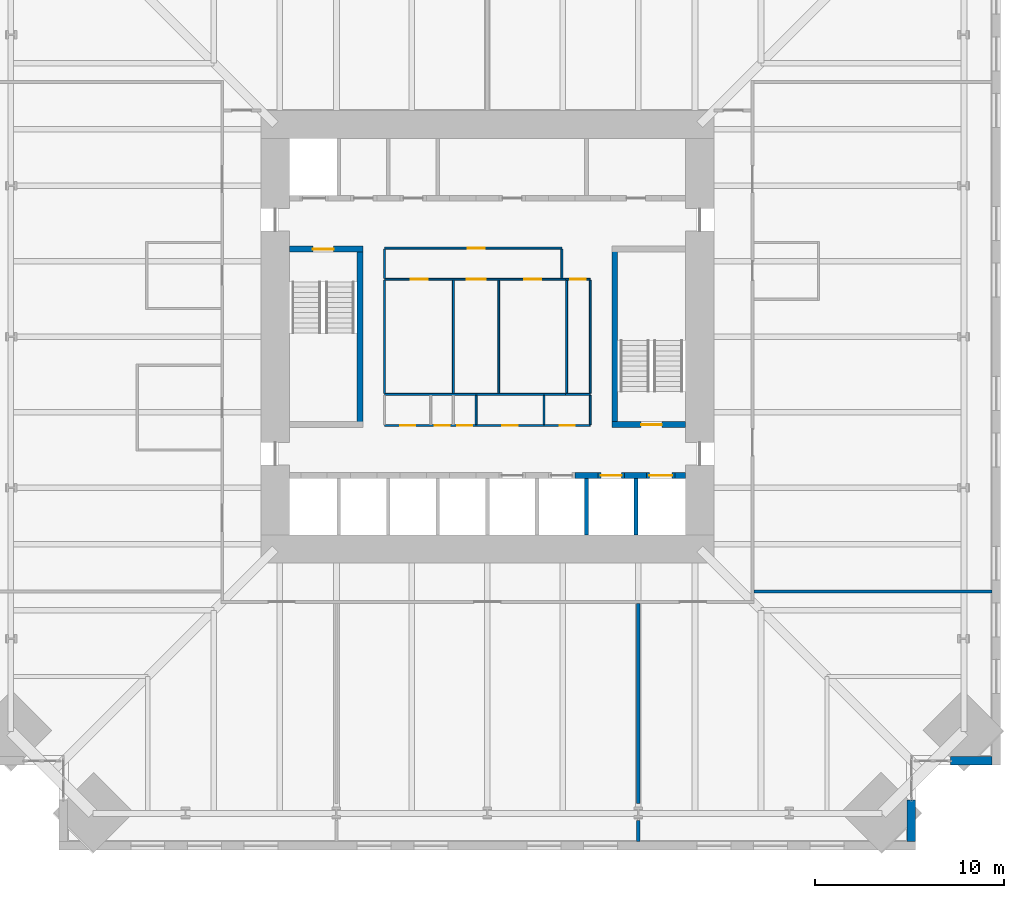
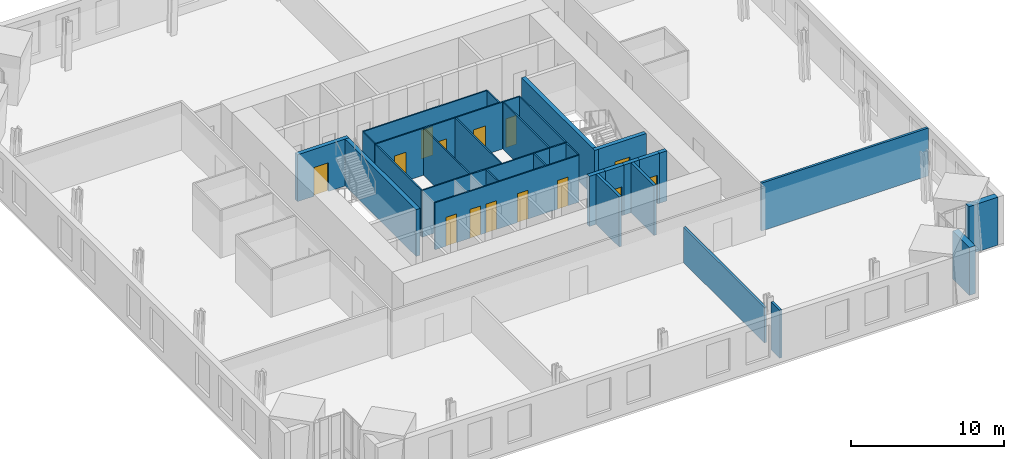
# One storey, part 13 of 16: 32 walls, 14 doors, 14 openings.
"""IFC4 building model written with IfcOpenShell, lengths in metres."""

from ifc_helpers import new_model, si_unit, direction, frame, frame_2d, origin, place, context, subcontext, project, spatial, rectangle, extrude, material, layer, layer_set, type_object, element, fill, save


model = new_model("IFC4")

# Units and contexts
model_context = context("Model", 3, precision=1e-05, world=origin(), true_north=direction((0.0, 1.0)))
body_context = subcontext(model_context, "Body", "Model", "MODEL_VIEW")
ifc_project = project(units=[si_unit("LENGTHUNIT", "METRE"), si_unit("AREAUNIT", "SQUARE_METRE"), si_unit("VOLUMEUNIT", "CUBIC_METRE"), si_unit("PLANEANGLEUNIT", "RADIAN"), si_unit("MASSUNIT", "GRAM", prefix="KILO")], contexts=[model_context])

# Site, building, storey
site_placement = place(None, origin())
site = spatial("IfcSite", under=ifc_project, at=site_placement, CompositionType="ELEMENT")
building_placement = place(site_placement, origin())
building = spatial("IfcBuilding", under=site, at=building_placement, Name="Peilmerk Tower", CompositionType="ELEMENT")
storey_placement = place(building_placement, frame((0.0, 0.0, 139.800048828125)))
storey = spatial("IfcBuildingStorey", under=building, at=storey_placement, Name="L28", CompositionType="ELEMENT", Elevation=139.800048828125)

# Walls
ifc_material_1 = material(Name="Precast concrete C45/55, board-marked finish", Category="concrete")
ifc_layer_1 = layer(ifc_material_1, 0.449951171875)
ifc_layer_set_1 = layer_set([ifc_layer_1], Name="Precast concrete C45/55, board-marked finish")
wall_type_1 = type_object("IfcWallType", Name="EW1 450 precast concrete facade wall, board-marked", PredefinedType="SOLIDWALL", material=ifc_layer_set_1)
for number, where, z_axis, x_axis, name in (
    (1, (22.47509765625, -24.5537109375, 0.0), (0.0, 0.0, 1.0), (0.0, -1.0, 0.0), "Facade wall SEA L28"),
    (2, (24.5537109375, -22.47509765625, 0.0), (0.0, 0.0, 1.0), (1.0, 0.0, 0.0), "Facade wall SEB L28"),
):
    element("IfcWall", number, at=place(storey_placement, frame(where, z_axis=z_axis, x_axis=x_axis)), inside=storey, type_object=wall_type_1, Name=name, PredefinedType="SOLIDWALL", context=body_context, shape_type="SweptSolid", body=[
        extrude(rectangle(XDim=2.1962890625, YDim=0.449951171875, at=frame_2d((1.09814453125, 0.0))), origin(), (0.0, 0.0, 1.0), 3.829833984375),
    ])
ifc_material_2 = material(Name="Concrete C35/45", Category="concrete")
ifc_layer_2 = layer(ifc_material_2, 0.300048828125)
ifc_layer_set_2 = layer_set([ifc_layer_2], Name="Concrete C35/45")
wall_type_2 = type_object("IfcWallType", Name="IW3 300 concrete stair enclosure wall, EI 120", PredefinedType="SOLIDWALL", material=ifc_layer_set_2)
wall_1_placement = place(storey_placement, frame((-6.75, -4.800048828125, 0.0), z_axis=(0.0, 0.0, 1.0), x_axis=(0.0, 1.0, 0.0)))
element("IfcWall", 3, at=wall_1_placement, inside=storey, type_object=wall_type_2, Name="Stair 1 enclosure L28", PredefinedType="SOLIDWALL", context=body_context, shape_type="SweptSolid", body=[
    extrude(rectangle(XDim=9.60009765625, YDim=0.300048828125, at=frame_2d((4.800048828125, 0.0))), origin(), (0.0, 0.0, 1.0), 3.75),
])

# Wall, opening, door
wall_2_placement = place(storey_placement, frame((-10.5, 4.64990234375, 0.0), z_axis=(0.0, 0.0, 1.0), x_axis=(1.0, 0.0, 0.0)))
wall_2 = element("IfcWall", 4, at=wall_2_placement, inside=storey, type_object=wall_type_2, Name="Stair 1 enclosure L28", PredefinedType="SOLIDWALL", context=body_context, shape_type="SweptSolid", body=[
    extrude(rectangle(XDim=3.89990234375, YDim=0.300048828125, at=frame_2d((1.949951171875, 0.0))), origin(), (0.0, 0.0, 1.0), 3.75),
])
opening_1_placement = place(wall_2_placement, frame((1.25, 0.0, 0.0)))
opening_1 = element("IfcOpeningElement", 5, at=opening_1_placement, cuts=wall_2, Name="Opening D4", PredefinedType="OPENING", context=body_context, shape_type="SweptSolid", body=[
    extrude(rectangle(XDim=1.10009765625, YDim=2.300048828125, at=frame_2d((0.550048828125, 1.14990234375))), frame((0.0, 0.159912109375, 0.0), z_axis=(0.0, -1.0, 0.0), x_axis=(1.0, 0.0, 0.0)), (0.0, 0.0, 1.0), 0.320068359375),
])
ifc_material_3 = material(Name="Steel door in steel frame", Category="steel")
door_type_1 = type_object("IfcDoorType", Name="D4 1100x2300 stair door, EI2 60", OperationType="SINGLE_SWING_RIGHT", PredefinedType="DOOR", material=ifc_material_3)
door_1_placement = place(opening_1_placement, frame((1.10009765625, 0.0, 0.0), z_axis=(0.0, 0.0, 1.0), x_axis=(-1.0, 0.0, 0.0)))
door_1 = element("IfcDoor", 6, at=door_1_placement, inside=storey, type_object=door_type_1, Name="Stair 1 door L28", OperationType="SINGLE_SWING_RIGHT", OverallHeight=2.300048828125, OverallWidth=1.10009765625, PredefinedType="DOOR", context=body_context, shape_type="SweptSolid", body=[
    extrude(rectangle(XDim=1.10009765625, YDim=2.300048828125, at=frame_2d((0.550048828125, 1.14990234375))), frame((0.0, 0.02490234375, 0.0), z_axis=(0.0, -1.0, 0.0), x_axis=(1.0, 0.0, 0.0)), (0.0, 0.0, 1.0), 0.050048828125),
])
fill(opening_1, door_1)

# Wall
wall_3_placement = place(storey_placement, frame((6.75, -4.800048828125, 0.0), z_axis=(0.0, 0.0, 1.0), x_axis=(0.0, 1.0, 0.0)))
element("IfcWall", 7, at=wall_3_placement, inside=storey, type_object=wall_type_2, Name="Stair 2 enclosure L28", PredefinedType="SOLIDWALL", context=body_context, shape_type="SweptSolid", body=[
    extrude(rectangle(XDim=9.60009765625, YDim=0.300048828125, at=frame_2d((4.800048828125, 0.0))), origin(), (0.0, 0.0, 1.0), 3.75),
])

# Wall, opening, door
wall_4_placement = place(storey_placement, frame((10.5, -4.64990234375, 0.0), z_axis=(0.0, 0.0, 1.0), x_axis=(-1.0, 0.0, 0.0)))
wall_4 = element("IfcWall", 8, at=wall_4_placement, inside=storey, type_object=wall_type_2, Name="Stair 2 enclosure L28", PredefinedType="SOLIDWALL", context=body_context, shape_type="SweptSolid", body=[
    extrude(rectangle(XDim=3.89990234375, YDim=0.300048828125, at=frame_2d((1.949951171875, 0.0))), origin(), (0.0, 0.0, 1.0), 3.75),
])
opening_2_placement = place(wall_4_placement, frame((1.25, 0.0, 0.0)))
opening_2 = element("IfcOpeningElement", 9, at=opening_2_placement, cuts=wall_4, Name="Opening D4", PredefinedType="OPENING", context=body_context, shape_type="SweptSolid", body=[
    extrude(rectangle(XDim=1.10009765625, YDim=2.300048828125, at=frame_2d((0.550048828125, 1.14990234375))), frame((0.0, 0.159912109375, 0.0), z_axis=(0.0, -1.0, 0.0), x_axis=(1.0, 0.0, 0.0)), (0.0, 0.0, 1.0), 0.320068359375),
])
door_2_placement = place(opening_2_placement, frame((1.10009765625, 0.0, 0.0), z_axis=(0.0, 0.0, 1.0), x_axis=(-1.0, 0.0, 0.0)))
door_2 = element("IfcDoor", 10, at=door_2_placement, inside=storey, type_object=door_type_1, Name="Stair 2 door L28", OperationType="SINGLE_SWING_RIGHT", OverallHeight=2.300048828125, OverallWidth=1.10009765625, PredefinedType="DOOR", context=body_context, shape_type="SweptSolid", body=[
    extrude(rectangle(XDim=1.10009765625, YDim=2.300048828125, at=frame_2d((0.550048828125, 1.14990234375))), frame((0.0, 0.02490234375, 0.0), z_axis=(0.0, -1.0, 0.0), x_axis=(1.0, 0.0, 0.0)), (0.0, 0.0, 1.0), 0.050048828125),
])
fill(opening_2, door_2)

# Wall, openings, doors
ifc_material_4 = material(Name="Plasterboard on steel studs", Category="steel")
ifc_layer_3 = layer(ifc_material_4, 0.10009765625)
ifc_layer_set_3 = layer_set([ifc_layer_3], Name="Plasterboard on steel studs")
wall_type_3 = type_object("IfcWallType", Name="IW4 100 WC partition", PredefinedType="PARTITIONING", material=ifc_layer_set_3)
wall_5_placement = place(storey_placement, frame((-5.449951171875, 3.050048828125, 0.0), z_axis=(0.0, 0.0, 1.0), x_axis=(1.0, 0.0, 0.0)))
wall_5 = element("IfcWall", 11, at=wall_5_placement, inside=storey, type_object=wall_type_3, Name="WC wall L28", PredefinedType="PARTITIONING", context=body_context, shape_type="SweptSolid", body=[
    extrude(rectangle(XDim=9.599853515625, YDim=0.10009765625, at=frame_2d((4.7998046875, 0.0))), origin(), (0.0, 0.0, 1.0), 3.75),
])
opening_3_placement = place(wall_5_placement, frame((1.39990234375, 0.0, 0.0)))
opening_3 = element("IfcOpeningElement", 12, at=opening_3_placement, cuts=wall_5, Name="Opening D5", PredefinedType="OPENING", context=body_context, shape_type="SweptSolid", body=[
    extrude(rectangle(XDim=0.89990234375, YDim=2.300048828125, at=frame_2d((0.449951171875, 1.14990234375))), frame((0.0, 0.06005859375, 0.0), z_axis=(0.0, -1.0, 0.0), x_axis=(1.0, 0.0, 0.0)), (0.0, 0.0, 1.0), 0.1201171875),
])
opening_4_placement = place(wall_5_placement, frame((4.35009765625, 0.0, 0.0)))
opening_4 = element("IfcOpeningElement", 13, at=opening_4_placement, cuts=wall_5, Name="Opening D6", PredefinedType="OPENING", context=body_context, shape_type="SweptSolid", body=[
    extrude(rectangle(XDim=1.0, YDim=2.300048828125, at=frame_2d((0.5, 1.14990234375))), frame((0.0, 0.06005859375, 0.0), z_axis=(0.0, -1.0, 0.0), x_axis=(1.0, 0.0, 0.0)), (0.0, 0.0, 1.0), 0.1201171875),
])
opening_5_placement = place(wall_5_placement, frame((7.39990234375, 0.0, 0.0)))
opening_5 = element("IfcOpeningElement", 14, at=opening_5_placement, cuts=wall_5, Name="Opening D5", PredefinedType="OPENING", context=body_context, shape_type="SweptSolid", body=[
    extrude(rectangle(XDim=0.89990234375, YDim=2.300048828125, at=frame_2d((0.449951171875, 1.14990234375))), frame((0.0, 0.06005859375, 0.0), z_axis=(0.0, -1.0, 0.0), x_axis=(1.0, 0.0, 0.0)), (0.0, 0.0, 1.0), 0.1201171875),
])
ifc_material_5 = material(Name="Timber door in steel frame", Category="steel")
door_type_2 = type_object("IfcDoorType", Name="D5 900x2300 WC door", OperationType="SINGLE_SWING_LEFT", PredefinedType="DOOR", material=ifc_material_5)
door_3_placement = place(opening_3_placement, frame((0.89990234375, 0.0, 0.0), z_axis=(0.0, 0.0, 1.0), x_axis=(-1.0, 0.0, 0.0)))
door_3 = element("IfcDoor", 15, at=door_3_placement, inside=storey, type_object=door_type_2, Name="Female toilets door L28", OperationType="SINGLE_SWING_LEFT", OverallHeight=2.300048828125, OverallWidth=0.89990234375, PredefinedType="DOOR", context=body_context, shape_type="SweptSolid", body=[
    extrude(rectangle(XDim=0.89990234375, YDim=2.300048828125, at=frame_2d((0.449951171875, 1.14990234375))), frame((0.0, 0.02490234375, 0.0), z_axis=(0.0, -1.0, 0.0), x_axis=(1.0, 0.0, 0.0)), (0.0, 0.0, 1.0), 0.050048828125),
])
fill(opening_3, door_3)
door_4_placement = place(opening_5_placement, frame((0.89990234375, 0.0, 0.0), z_axis=(0.0, 0.0, 1.0), x_axis=(-1.0, 0.0, 0.0)))
door_4 = element("IfcDoor", 16, at=door_4_placement, inside=storey, type_object=door_type_2, Name="Male toilets door L28", OperationType="SINGLE_SWING_LEFT", OverallHeight=2.300048828125, OverallWidth=0.89990234375, PredefinedType="DOOR", context=body_context, shape_type="SweptSolid", body=[
    extrude(rectangle(XDim=0.89990234375, YDim=2.300048828125, at=frame_2d((0.449951171875, 1.14990234375))), frame((0.0, 0.02490234375, 0.0), z_axis=(0.0, -1.0, 0.0), x_axis=(1.0, 0.0, 0.0)), (0.0, 0.0, 1.0), 0.050048828125),
])
fill(opening_5, door_4)
door_type_3 = type_object("IfcDoorType", Name="D6 1000x2300 accessible WC door", OperationType="SLIDING_TO_LEFT", PredefinedType="DOOR", material=ifc_material_5)
door_5_placement = place(opening_4_placement, frame((1.0, 0.0, 0.0), z_axis=(0.0, 0.0, 1.0), x_axis=(-1.0, 0.0, 0.0)))
door_5 = element("IfcDoor", 17, at=door_5_placement, inside=storey, type_object=door_type_3, Name="Accessible WC door L28", OperationType="SLIDING_TO_LEFT", OverallHeight=2.300048828125, OverallWidth=1.0, PredefinedType="DOOR", context=body_context, shape_type="SweptSolid", body=[
    extrude(rectangle(XDim=1.0, YDim=2.300048828125, at=frame_2d((0.5, 1.14990234375))), frame((0.0, 0.02490234375, 0.0), z_axis=(0.0, -1.0, 0.0), x_axis=(1.0, 0.0, 0.0)), (0.0, 0.0, 1.0), 0.050048828125),
])
fill(opening_4, door_5)

# Walls
wall_6_placement = place(storey_placement, frame((4.14990234375, -3.050048828125, 0.0), z_axis=(0.0, 0.0, 1.0), x_axis=(-1.0, 0.0, 0.0)))
element("IfcWall", 18, at=wall_6_placement, inside=storey, type_object=wall_type_3, Name="WC wall L28", PredefinedType="PARTITIONING", context=body_context, shape_type="SweptSolid", body=[
    extrude(rectangle(XDim=9.599853515625, YDim=0.10009765625, at=frame_2d((4.7998046875, 0.0))), origin(), (0.0, 0.0, 1.0), 3.75),
])
for number, where, z_axis, x_axis, name in (
    (19, (-5.449951171875, -3.0, 0.0), (0.0, 0.0, 1.0), (0.0, 1.0, 0.0), "WC wall L28"),
    (20, (-1.800048828125, -3.0, 0.0), (0.0, 0.0, 1.0), (0.0, 1.0, 0.0), "WC wall L28"),
    (21, (0.60009765625, -3.0, 0.0), (0.0, 0.0, 1.0), (0.0, 1.0, 0.0), "WC wall L28"),
):
    element("IfcWall", number, at=place(storey_placement, frame(where, z_axis=z_axis, x_axis=x_axis)), inside=storey, type_object=wall_type_3, Name=name, PredefinedType="PARTITIONING", context=body_context, shape_type="SweptSolid", body=[
        extrude(rectangle(XDim=6.0, YDim=0.10009765625, at=frame_2d((3.0, 0.0))), origin(), (0.0, 0.0, 1.0), 3.75),
    ])

# Wall, opening, door
ifc_material_6 = material(Name="Calcium silicate board on steel studs", Category="steel")
ifc_layer_4 = layer(ifc_material_6, 0.10009765625)
ifc_layer_set_4 = layer_set([ifc_layer_4], Name="Calcium silicate board on steel studs")
wall_type_4 = type_object("IfcWallType", Name="IW5 100 riser enclosure wall, EI 60", PredefinedType="PARTITIONING", material=ifc_layer_set_4)
wall_7_placement = place(storey_placement, frame((4.14990234375, 3.050048828125, 0.0), z_axis=(0.0, 0.0, 1.0), x_axis=(1.0, 0.0, 0.0)))
wall_7 = element("IfcWall", 22, at=wall_7_placement, inside=storey, type_object=wall_type_4, Name="Riser wall L28", PredefinedType="PARTITIONING", context=body_context, shape_type="SweptSolid", body=[
    extrude(rectangle(XDim=1.300048828125, YDim=0.10009765625, at=frame_2d((0.64990234375, 0.0))), origin(), (0.0, 0.0, 1.0), 3.75),
])
opening_6_placement = place(wall_7_placement, frame((0.25, 0.0, 0.0)))
opening_6 = element("IfcOpeningElement", 23, at=opening_6_placement, cuts=wall_7, Name="Opening D7", PredefinedType="OPENING", context=body_context, shape_type="SweptSolid", body=[
    extrude(rectangle(XDim=0.800048828125, YDim=2.300048828125, at=frame_2d((0.39990234375, 1.14990234375))), frame((0.0, 0.06005859375, 0.0), z_axis=(0.0, -1.0, 0.0), x_axis=(1.0, 0.0, 0.0)), (0.0, 0.0, 1.0), 0.1201171875),
])
door_type_4 = type_object("IfcDoorType", Name="D7 800x2300 riser access door, EI2 60", OperationType="SINGLE_SWING_RIGHT", PredefinedType="DOOR", material=ifc_material_3)
door_6_placement = place(opening_6_placement, frame((0.800048828125, 0.0, 0.0), z_axis=(0.0, 0.0, 1.0), x_axis=(-1.0, 0.0, 0.0)))
door_6 = element("IfcDoor", 24, at=door_6_placement, inside=storey, type_object=door_type_4, Name="Plumbing riser door L28", OperationType="SINGLE_SWING_RIGHT", OverallHeight=2.300048828125, OverallWidth=0.800048828125, PredefinedType="DOOR", context=body_context, shape_type="SweptSolid", body=[
    extrude(rectangle(XDim=0.800048828125, YDim=2.300048828125, at=frame_2d((0.39990234375, 1.14990234375))), frame((0.0, 0.02490234375, 0.0), z_axis=(0.0, -1.0, 0.0), x_axis=(1.0, 0.0, 0.0)), (0.0, 0.0, 1.0), 0.050048828125),
])
fill(opening_6, door_6)

# Walls
wall_8_placement = place(storey_placement, frame((5.449951171875, -3.050048828125, 0.0), z_axis=(0.0, 0.0, 1.0), x_axis=(-1.0, 0.0, 0.0)))
element("IfcWall", 25, at=wall_8_placement, inside=storey, type_object=wall_type_4, Name="Riser wall L28", PredefinedType="PARTITIONING", context=body_context, shape_type="SweptSolid", body=[
    extrude(rectangle(XDim=1.300048828125, YDim=0.10009765625, at=frame_2d((0.64990234375, 0.0))), origin(), (0.0, 0.0, 1.0), 3.75),
])
for number, where, z_axis, x_axis, name in (
    (26, (5.449951171875, 3.0, 0.0), (0.0, 0.0, 1.0), (0.0, -1.0, 0.0), "Riser wall L28"),
    (27, (4.199951171875, -3.0, 0.0), (0.0, 0.0, 1.0), (0.0, 1.0, 0.0), "Riser wall L28"),
):
    element("IfcWall", number, at=place(storey_placement, frame(where, z_axis=z_axis, x_axis=x_axis)), inside=storey, type_object=wall_type_4, Name=name, PredefinedType="PARTITIONING", context=body_context, shape_type="SweptSolid", body=[
        extrude(rectangle(XDim=6.0, YDim=0.10009765625, at=frame_2d((3.0, 0.0))), origin(), (0.0, 0.0, 1.0), 3.75),
    ])

# Wall, openings, doors
wall_9_placement = place(storey_placement, frame((5.449951171875, -4.699951171875, 0.0), z_axis=(0.0, 0.0, 1.0), x_axis=(-1.0, 0.0, 0.0)))
wall_9 = element("IfcWall", 28, at=wall_9_placement, inside=storey, type_object=wall_type_4, Name="Riser wall L28", PredefinedType="PARTITIONING", context=body_context, shape_type="SweptSolid", body=[
    extrude(rectangle(XDim=10.89990234375, YDim=0.10009765625, at=frame_2d((5.449951171875, 0.0))), origin(), (0.0, 0.0, 1.0), 3.75),
])
opening_7_placement = place(wall_9_placement, frame((9.27490234375, 0.0, 0.0)))
opening_7 = element("IfcOpeningElement", 29, at=opening_7_placement, cuts=wall_9, Name="Opening D7", PredefinedType="OPENING", context=body_context, shape_type="SweptSolid", body=[
    extrude(rectangle(XDim=0.800048828125, YDim=2.300048828125, at=frame_2d((0.39990234375, 1.14990234375))), frame((0.0, 0.06005859375, 0.0), z_axis=(0.0, -1.0, 0.0), x_axis=(1.0, 0.0, 0.0)), (0.0, 0.0, 1.0), 0.1201171875),
])
opening_8_placement = place(wall_9_placement, frame((7.449951171875, 0.0, 0.0)))
opening_8 = element("IfcOpeningElement", 30, at=opening_8_placement, cuts=wall_9, Name="Opening D7", PredefinedType="OPENING", context=body_context, shape_type="SweptSolid", body=[
    extrude(rectangle(XDim=0.800048828125, YDim=2.300048828125, at=frame_2d((0.39990234375, 1.14990234375))), frame((0.0, 0.06005859375, 0.0), z_axis=(0.0, -1.0, 0.0), x_axis=(1.0, 0.0, 0.0)), (0.0, 0.0, 1.0), 0.1201171875),
])
opening_9_placement = place(wall_9_placement, frame((6.25, 0.0, 0.0)))
opening_9 = element("IfcOpeningElement", 31, at=opening_9_placement, cuts=wall_9, Name="Opening D7", PredefinedType="OPENING", context=body_context, shape_type="SweptSolid", body=[
    extrude(rectangle(XDim=0.800048828125, YDim=2.300048828125, at=frame_2d((0.39990234375, 1.14990234375))), frame((0.0, 0.06005859375, 0.0), z_axis=(0.0, -1.0, 0.0), x_axis=(1.0, 0.0, 0.0)), (0.0, 0.0, 1.0), 0.1201171875),
])
opening_10_placement = place(wall_9_placement, frame((3.85009765625, 0.0, 0.0)))
opening_10 = element("IfcOpeningElement", 32, at=opening_10_placement, cuts=wall_9, Name="Opening D7", PredefinedType="OPENING", context=body_context, shape_type="SweptSolid", body=[
    extrude(rectangle(XDim=0.800048828125, YDim=2.300048828125, at=frame_2d((0.39990234375, 1.14990234375))), frame((0.0, 0.06005859375, 0.0), z_axis=(0.0, -1.0, 0.0), x_axis=(1.0, 0.0, 0.0)), (0.0, 0.0, 1.0), 0.1201171875),
])
opening_11_placement = place(wall_9_placement, frame((0.824951171875, 0.0, 0.0)))
opening_11 = element("IfcOpeningElement", 33, at=opening_11_placement, cuts=wall_9, Name="Opening D7", PredefinedType="OPENING", context=body_context, shape_type="SweptSolid", body=[
    extrude(rectangle(XDim=0.800048828125, YDim=2.300048828125, at=frame_2d((0.39990234375, 1.14990234375))), frame((0.0, 0.06005859375, 0.0), z_axis=(0.0, -1.0, 0.0), x_axis=(1.0, 0.0, 0.0)), (0.0, 0.0, 1.0), 0.1201171875),
])
door_7_placement = place(opening_7_placement, frame((0.800048828125, 0.0, 0.0), z_axis=(0.0, 0.0, 1.0), x_axis=(-1.0, 0.0, 0.0)))
door_7 = element("IfcDoor", 34, at=door_7_placement, inside=storey, type_object=door_type_4, Name="Cleaner's cupboard door L28", OperationType="SINGLE_SWING_RIGHT", OverallHeight=2.300048828125, OverallWidth=0.800048828125, PredefinedType="DOOR", context=body_context, shape_type="SweptSolid", body=[
    extrude(rectangle(XDim=0.800048828125, YDim=2.300048828125, at=frame_2d((0.39990234375, 1.14990234375))), frame((0.0, 0.02490234375, 0.0), z_axis=(0.0, -1.0, 0.0), x_axis=(1.0, 0.0, 0.0)), (0.0, 0.0, 1.0), 0.050048828125),
])
fill(opening_7, door_7)
door_8_placement = place(opening_8_placement, frame((0.800048828125, 0.0, 0.0), z_axis=(0.0, 0.0, 1.0), x_axis=(-1.0, 0.0, 0.0)))
door_8 = element("IfcDoor", 35, at=door_8_placement, inside=storey, type_object=door_type_4, Name="Electrical riser door L28", OperationType="SINGLE_SWING_RIGHT", OverallHeight=2.300048828125, OverallWidth=0.800048828125, PredefinedType="DOOR", context=body_context, shape_type="SweptSolid", body=[
    extrude(rectangle(XDim=0.800048828125, YDim=2.300048828125, at=frame_2d((0.39990234375, 1.14990234375))), frame((0.0, 0.02490234375, 0.0), z_axis=(0.0, -1.0, 0.0), x_axis=(1.0, 0.0, 0.0)), (0.0, 0.0, 1.0), 0.050048828125),
])
fill(opening_8, door_8)
door_9_placement = place(opening_9_placement, frame((0.800048828125, 0.0, 0.0), z_axis=(0.0, 0.0, 1.0), x_axis=(-1.0, 0.0, 0.0)))
door_9 = element("IfcDoor", 36, at=door_9_placement, inside=storey, type_object=door_type_4, Name="Data riser door L28", OperationType="SINGLE_SWING_RIGHT", OverallHeight=2.300048828125, OverallWidth=0.800048828125, PredefinedType="DOOR", context=body_context, shape_type="SweptSolid", body=[
    extrude(rectangle(XDim=0.800048828125, YDim=2.300048828125, at=frame_2d((0.39990234375, 1.14990234375))), frame((0.0, 0.02490234375, 0.0), z_axis=(0.0, -1.0, 0.0), x_axis=(1.0, 0.0, 0.0)), (0.0, 0.0, 1.0), 0.050048828125),
])
fill(opening_9, door_9)
door_10_placement = place(opening_10_placement, frame((0.800048828125, 0.0, 0.0), z_axis=(0.0, 0.0, 1.0), x_axis=(-1.0, 0.0, 0.0)))
door_10 = element("IfcDoor", 37, at=door_10_placement, inside=storey, type_object=door_type_4, Name="Comms room door L28", OperationType="SINGLE_SWING_RIGHT", OverallHeight=2.300048828125, OverallWidth=0.800048828125, PredefinedType="DOOR", context=body_context, shape_type="SweptSolid", body=[
    extrude(rectangle(XDim=0.800048828125, YDim=2.300048828125, at=frame_2d((0.39990234375, 1.14990234375))), frame((0.0, 0.02490234375, 0.0), z_axis=(0.0, -1.0, 0.0), x_axis=(1.0, 0.0, 0.0)), (0.0, 0.0, 1.0), 0.050048828125),
])
fill(opening_10, door_10)
door_11_placement = place(opening_11_placement, frame((0.800048828125, 0.0, 0.0), z_axis=(0.0, 0.0, 1.0), x_axis=(-1.0, 0.0, 0.0)))
door_11 = element("IfcDoor", 38, at=door_11_placement, inside=storey, type_object=door_type_4, Name="Water meter room door L28", OperationType="SINGLE_SWING_RIGHT", OverallHeight=2.300048828125, OverallWidth=0.800048828125, PredefinedType="DOOR", context=body_context, shape_type="SweptSolid", body=[
    extrude(rectangle(XDim=0.800048828125, YDim=2.300048828125, at=frame_2d((0.39990234375, 1.14990234375))), frame((0.0, 0.02490234375, 0.0), z_axis=(0.0, -1.0, 0.0), x_axis=(1.0, 0.0, 0.0)), (0.0, 0.0, 1.0), 0.050048828125),
])
fill(opening_11, door_11)

# Walls
for number, where, z_axis, x_axis, name in (
    (39, (5.449951171875, -3.10009765625, 0.0), (0.0, 0.0, 1.0), (0.0, -1.0, 0.0), "Riser wall L28"),
    (40, (-0.60009765625, -3.10009765625, 0.0), (0.0, 0.0, 1.0), (0.0, -1.0, 0.0), "Riser wall L28"),
    (41, (3.0, -3.10009765625, 0.0), (0.0, 0.0, 1.0), (0.0, -1.0, 0.0), "Riser wall L28"),
):
    element("IfcWall", number, at=place(storey_placement, frame(where, z_axis=z_axis, x_axis=x_axis)), inside=storey, type_object=wall_type_4, Name=name, PredefinedType="PARTITIONING", context=body_context, shape_type="SweptSolid", body=[
        extrude(rectangle(XDim=1.5498046875, YDim=0.10009765625, at=frame_2d((0.77490234375, 0.0))), origin(), (0.0, 0.0, 1.0), 3.75),
    ])
ifc_material_7 = material(Name="Calcium silicate block", Category="masonry")
ifc_layer_5 = layer(ifc_material_7, 0.175048828125)
ifc_layer_set_5 = layer_set([ifc_layer_5], Name="Calcium silicate block")
wall_type_5 = type_object("IfcWallType", Name="IW8 175 tenant separating wall, EI 60", PredefinedType="PARTITIONING", material=ifc_layer_set_5)
wall_10_placement = place(storey_placement, frame((26.75, -13.5, 0.0), z_axis=(0.0, 0.0, 1.0), x_axis=(-1.0, 0.0, 0.0)))
element("IfcWall", 42, at=wall_10_placement, inside=storey, type_object=wall_type_5, Name="Tenant separating wall SE L28", PredefinedType="PARTITIONING", context=body_context, shape_type="SweptSolid", body=[
    extrude(rectangle(XDim=12.625, YDim=0.175048828125, at=frame_2d((6.3125, 0.0))), origin(), (0.0, 0.0, 1.0), 3.829833984375),
])
wall_11_placement = place(storey_placement, frame((8.0, -14.125, 0.0), z_axis=(0.0, 0.0, 1.0), x_axis=(0.0, -1.0, 0.0)))
element("IfcWall", 43, at=wall_11_placement, inside=storey, type_object=wall_type_5, Name="Tenant separating wall S2 L28", PredefinedType="PARTITIONING", context=body_context, shape_type="SweptSolid", body=[
    extrude(rectangle(XDim=10.609375, YDim=0.175048828125, at=frame_2d((5.3046875, 0.0))), origin(), (0.0, 0.0, 1.0), 2.829833984375),
])
wall_12_placement = place(storey_placement, frame((8.0, -25.62353515625, 0.0), z_axis=(0.0, 0.0, 1.0), x_axis=(0.0, -1.0, 0.0)))
element("IfcWall", 44, at=wall_12_placement, inside=storey, type_object=wall_type_5, Name="Tenant separating wall S2b L28", PredefinedType="PARTITIONING", context=body_context, shape_type="SweptSolid", body=[
    extrude(rectangle(XDim=1.12646484375, YDim=0.175048828125, at=frame_2d((0.563232421875, 0.0))), origin(), (0.0, 0.0, 1.0), 3.829833984375),
])

# Wall, opening, door
ifc_material_8 = material(Name="Fire-resisting plasterboard on steel studs", Category="steel")
ifc_layer_6 = layer(ifc_material_8, 0.10009765625)
ifc_layer_set_6 = layer_set([ifc_layer_6], Name="Fire-resisting plasterboard on steel studs")
wall_type_6 = type_object("IfcWallType", Name="IW9 100 WC lobby wall, EI 30", PredefinedType="PARTITIONING", material=ifc_layer_set_6)
wall_13_placement = place(storey_placement, frame((-5.449951171875, 4.699951171875, 0.0), z_axis=(0.0, 0.0, 1.0), x_axis=(1.0, 0.0, 0.0)))
wall_13 = element("IfcWall", 45, at=wall_13_placement, inside=storey, type_object=wall_type_6, Name="WC lobby wall L28", PredefinedType="PARTITIONING", context=body_context, shape_type="SweptSolid", body=[
    extrude(rectangle(XDim=9.39990234375, YDim=0.10009765625, at=frame_2d((4.699951171875, 0.0))), origin(), (0.0, 0.0, 1.0), 3.75),
])
opening_12_placement = place(wall_13_placement, frame((4.39990234375, 0.0, 0.0)))
opening_12 = element("IfcOpeningElement", 46, at=opening_12_placement, cuts=wall_13, Name="Opening D11", PredefinedType="OPENING", context=body_context, shape_type="SweptSolid", body=[
    extrude(rectangle(XDim=0.89990234375, YDim=2.300048828125, at=frame_2d((0.449951171875, 1.14990234375))), frame((0.0, 0.06005859375, 0.0), z_axis=(0.0, -1.0, 0.0), x_axis=(1.0, 0.0, 0.0)), (0.0, 0.0, 1.0), 0.1201171875),
])
door_type_5 = type_object("IfcDoorType", Name="D11 900x2300 WC lobby door, EI2 30", OperationType="SINGLE_SWING_LEFT", PredefinedType="DOOR", material=ifc_material_5)
door_12_placement = place(opening_12_placement, frame((0.89990234375, 0.0, 0.0), z_axis=(0.0, 0.0, 1.0), x_axis=(-1.0, 0.0, 0.0)))
door_12 = element("IfcDoor", 47, at=door_12_placement, inside=storey, type_object=door_type_5, Name="WC lobby door L28", OperationType="SINGLE_SWING_LEFT", OverallHeight=2.300048828125, OverallWidth=0.89990234375, PredefinedType="DOOR", context=body_context, shape_type="SweptSolid", body=[
    extrude(rectangle(XDim=0.89990234375, YDim=2.300048828125, at=frame_2d((0.449951171875, 1.14990234375))), frame((0.0, 0.02490234375, 0.0), z_axis=(0.0, -1.0, 0.0), x_axis=(1.0, 0.0, 0.0)), (0.0, 0.0, 1.0), 0.050048828125),
])
fill(opening_12, door_12)

# Walls
for number, where, z_axis, x_axis, name in (
    (48, (-5.449951171875, 3.10009765625, 0.0), (0.0, 0.0, 1.0), (0.0, 1.0, 0.0), "WC lobby wall L28"),
    (49, (3.949951171875, 3.10009765625, 0.0), (0.0, 0.0, 1.0), (0.0, 1.0, 0.0), "WC lobby wall L28"),
):
    element("IfcWall", number, at=place(storey_placement, frame(where, z_axis=z_axis, x_axis=x_axis)), inside=storey, type_object=wall_type_6, Name=name, PredefinedType="PARTITIONING", context=body_context, shape_type="SweptSolid", body=[
        extrude(rectangle(XDim=1.5498046875, YDim=0.10009765625, at=frame_2d((0.77490234375, 0.0))), origin(), (0.0, 0.0, 1.0), 3.75),
    ])
ifc_layer_7 = layer(ifc_material_7, 0.199951171875)
ifc_layer_set_7 = layer_set([ifc_layer_7], Name="Calcium silicate block")
wall_type_7 = type_object("IfcWallType", Name="SH1 200 shaft dividing wall, EI 120", PredefinedType="PARTITIONING", material=ifc_layer_set_7)
for number, where, z_axis, x_axis, name in (
    (50, (5.25, -10.5, 0.0), (0.0, 0.0, 1.0), (0.0, 1.0, 0.0), "Shaft wall S B2 L28"),
    (51, (7.875, -10.5, 0.0), (0.0, 0.0, 1.0), (0.0, 1.0, 0.0), "Shaft wall S B1 L28"),
):
    element("IfcWall", number, at=place(storey_placement, frame(where, z_axis=z_axis, x_axis=x_axis)), inside=storey, type_object=wall_type_7, Name=name, PredefinedType="PARTITIONING", context=body_context, shape_type="SweptSolid", body=[
        extrude(rectangle(XDim=3.0, YDim=0.199951171875, at=frame_2d((1.5, 0.0))), origin(), (0.0, 0.0, 1.0), 4.0),
    ])

# Wall, opening, door
ifc_layer_8 = layer(ifc_material_7, 0.300048828125)
ifc_layer_set_8 = layer_set([ifc_layer_8], Name="Calcium silicate block")
wall_type_8 = type_object("IfcWallType", Name="SH2 300 lift landing door panel, EI 120", PredefinedType="PARTITIONING", material=ifc_layer_set_8)
wall_14_placement = place(storey_placement, frame((5.862548828125, -7.35009765625, 0.0), z_axis=(0.0, 0.0, 1.0), x_axis=(1.0, 0.0, 0.0)))
wall_14 = element("IfcWall", 52, at=wall_14_placement, inside=storey, type_object=wall_type_8, Name="Lift door panel S B1 L28", PredefinedType="PARTITIONING", context=body_context, shape_type="SweptSolid", body=[
    extrude(rectangle(XDim=1.39990234375, YDim=0.300048828125, at=frame_2d((0.699951171875, 0.0))), origin(), (0.0, 0.0, 1.0), 4.0),
])
opening_13_placement = place(wall_14_placement, frame((0.14990234375, 0.0, 0.0)))
opening_13 = element("IfcOpeningElement", 53, at=opening_13_placement, cuts=wall_14, Name="Opening LD1", PredefinedType="OPENING", context=body_context, shape_type="SweptSolid", body=[
    extrude(rectangle(XDim=1.10009765625, YDim=2.300048828125, at=frame_2d((0.550048828125, 1.14990234375))), frame((0.0, 0.159912109375, 0.0), z_axis=(0.0, -1.0, 0.0), x_axis=(1.0, 0.0, 0.0)), (0.0, 0.0, 1.0), 0.320068359375),
])
ifc_material_9 = material(Name="Stainless steel landing door", Category="steel")
door_type_6 = type_object("IfcDoorType", Name="LD1 1100x2300 lift landing door, sliding, EI2 60", OperationType="SLIDING_TO_LEFT", PredefinedType="DOOR", material=ifc_material_9)
door_13_placement = place(opening_13_placement, origin())
door_13 = element("IfcDoor", 54, at=door_13_placement, inside=storey, type_object=door_type_6, Name="Lift landing door B1 L28", OperationType="SLIDING_TO_LEFT", OverallHeight=2.300048828125, OverallWidth=1.10009765625, PredefinedType="DOOR", context=body_context, shape_type="SweptSolid", body=[
    extrude(rectangle(XDim=1.10009765625, YDim=2.300048828125, at=frame_2d((0.550048828125, 1.14990234375))), frame((0.0, 0.02490234375, 0.0), z_axis=(0.0, -1.0, 0.0), x_axis=(1.0, 0.0, 0.0)), (0.0, 0.0, 1.0), 0.050048828125),
])
fill(opening_13, door_13)

wall_15_placement = place(storey_placement, frame((8.4375, -7.35009765625, 0.0), z_axis=(0.0, 0.0, 1.0), x_axis=(1.0, 0.0, 0.0)))
wall_15 = element("IfcWall", 55, at=wall_15_placement, inside=storey, type_object=wall_type_8, Name="Lift door panel S FL2 L28", PredefinedType="PARTITIONING", context=body_context, shape_type="SweptSolid", body=[
    extrude(rectangle(XDim=1.5, YDim=0.300048828125, at=frame_2d((0.75, 0.0))), origin(), (0.0, 0.0, 1.0), 4.0),
])
opening_14_placement = place(wall_15_placement, frame((0.14990234375, 0.0, 0.0)))
opening_14 = element("IfcOpeningElement", 56, at=opening_14_placement, cuts=wall_15, Name="Opening LD2", PredefinedType="OPENING", context=body_context, shape_type="SweptSolid", body=[
    extrude(rectangle(XDim=1.199951171875, YDim=2.300048828125, at=frame_2d((0.60009765625, 1.14990234375))), frame((0.0, 0.159912109375, 0.0), z_axis=(0.0, -1.0, 0.0), x_axis=(1.0, 0.0, 0.0)), (0.0, 0.0, 1.0), 0.320068359375),
])
door_type_7 = type_object("IfcDoorType", Name="LD2 1200x2300 lift landing door, sliding, EI2 60", OperationType="SLIDING_TO_LEFT", PredefinedType="DOOR", material=ifc_material_9)
door_14_placement = place(opening_14_placement, origin())
door_14 = element("IfcDoor", 57, at=door_14_placement, inside=storey, type_object=door_type_7, Name="Lift landing door FL2 L28", OperationType="SLIDING_TO_LEFT", OverallHeight=2.300048828125, OverallWidth=1.199951171875, PredefinedType="DOOR", context=body_context, shape_type="SweptSolid", body=[
    extrude(rectangle(XDim=1.199951171875, YDim=2.300048828125, at=frame_2d((0.60009765625, 1.14990234375))), frame((0.0, 0.02490234375, 0.0), z_axis=(0.0, -1.0, 0.0), x_axis=(1.0, 0.0, 0.0)), (0.0, 0.0, 1.0), 0.050048828125),
])
fill(opening_14, door_14)

# Walls
ifc_material_10 = material(Name="Concrete C55/67", Category="concrete")
ifc_layer_9 = layer(ifc_material_10, 0.300048828125)
ifc_layer_set_9 = layer_set([ifc_layer_9], Name="Concrete C55/67")
wall_type_9 = type_object("IfcWallType", Name="SW2 300 lift bank pier", PredefinedType="SHEAR", material=ifc_layer_set_9)
wall_16_placement = place(storey_placement, frame((4.637451171875, -7.35009765625, 0.0), z_axis=(0.0, 0.0, 1.0), x_axis=(1.0, 0.0, 0.0)))
element("IfcWall", 58, at=wall_16_placement, inside=storey, type_object=wall_type_9, Name="Lift bank pier S L28", PredefinedType="SHEAR", context=body_context, shape_type="SweptSolid", body=[
    extrude(rectangle(XDim=1.22509765625, YDim=0.300048828125, at=frame_2d((0.612548828125, 0.0))), origin(), (0.0, 0.0, 1.0), 4.0),
])
wall_17_placement = place(storey_placement, frame((7.262451171875, -7.35009765625, 0.0), z_axis=(0.0, 0.0, 1.0), x_axis=(1.0, 0.0, 0.0)))
element("IfcWall", 59, at=wall_17_placement, inside=storey, type_object=wall_type_9, Name="Lift bank pier S L28", PredefinedType="SHEAR", context=body_context, shape_type="SweptSolid", body=[
    extrude(rectangle(XDim=1.175048828125, YDim=0.300048828125, at=frame_2d((0.58740234375, 0.0))), origin(), (0.0, 0.0, 1.0), 4.0),
])
wall_18_placement = place(storey_placement, frame((9.9375, -7.35009765625, 0.0), z_axis=(0.0, 0.0, 1.0), x_axis=(1.0, 0.0, 0.0)))
element("IfcWall", 60, at=wall_18_placement, inside=storey, type_object=wall_type_9, Name="Lift bank pier S L28", PredefinedType="SHEAR", context=body_context, shape_type="SweptSolid", body=[
    extrude(rectangle(XDim=0.5625, YDim=0.300048828125, at=frame_2d((0.28125, 0.0))), origin(), (0.0, 0.0, 1.0), 4.0),
])

save(model, "model.ifc")
